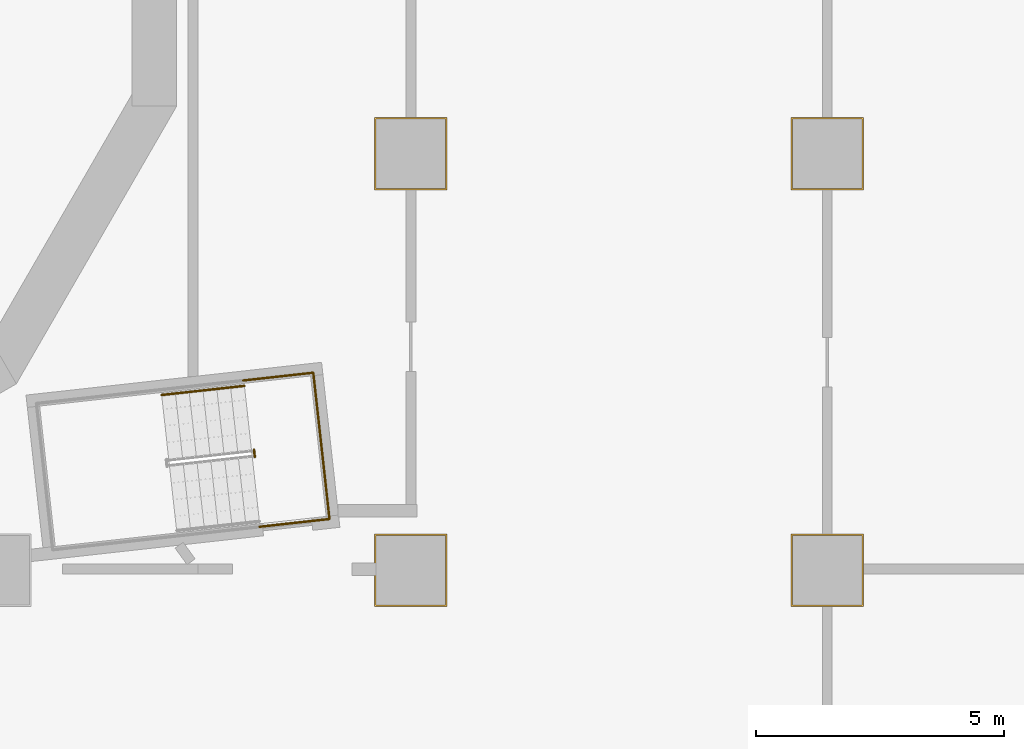
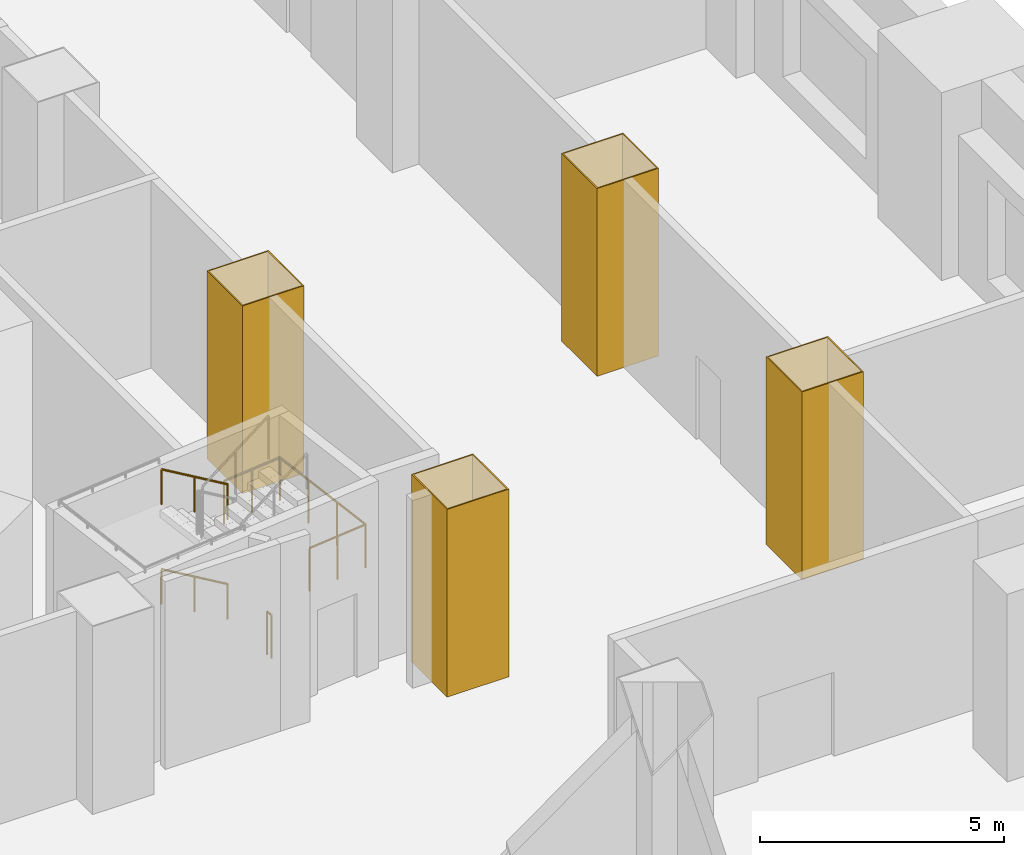
# One storey, part 11 of 18: 4 coverings, 4 railings.
"""IFC4 building model written with IfcOpenShell, lengths in metres."""

from ifc_helpers import new_model, si_unit, direction, frame, origin, origin_2d, place, context, subcontext, project, spatial, polyline, circle, outline, extrude, material, layer, layer_set, type_object, element, save


model = new_model("IFC4")

# Units and contexts
model_context = context("Model", 3, precision=1e-05, world=origin(), true_north=direction((0.0, 1.0)))
body_context = subcontext(model_context, "Body", "Model", "MODEL_VIEW")
ifc_project = project(units=[si_unit("LENGTHUNIT", "METRE"), si_unit("AREAUNIT", "SQUARE_METRE"), si_unit("VOLUMEUNIT", "CUBIC_METRE"), si_unit("PLANEANGLEUNIT", "RADIAN"), si_unit("MASSUNIT", "GRAM", prefix="KILO")], contexts=[model_context])

# Site, building, storey
site_placement = place(None, origin())
site = spatial("IfcSite", under=ifc_project, at=site_placement, CompositionType="ELEMENT")
building_placement = place(site_placement, origin())
building = spatial("IfcBuilding", under=site, at=building_placement, Name="Cantera Rosa Tower", CompositionType="ELEMENT")
storey_placement = place(building_placement, frame((0.0, 0.0, 17.0)))
storey = spatial("IfcBuildingStorey", under=building, at=storey_placement, Name="L02", CompositionType="ELEMENT", Elevation=17.0)

# Coverings
ifc_material_1 = material(Name="Plaster")
ifc_layer = layer(ifc_material_1, 0.030029296875)
ifc_layer_set = layer_set([ifc_layer], Name="Column casing 30")
covering_type = type_object("IfcCoveringType", Name="Column casing 30", PredefinedType="CLADDING", material=ifc_layer_set)
covering_1_placement = place(storey_placement, origin())
element("IfcCovering", 1, at=covering_1_placement, inside=storey, type_object=covering_type, Name="Column casing L02-026", PredefinedType="CLADDING", context=body_context, shape_type="SweptSolid", body=[
    extrude(outline(polyline([(16.070068359375, -13.330078125), (17.530029296875, -13.330078125), (17.530029296875, -11.8701171875), (16.070068359375, -11.8701171875), (16.070068359375, -13.330078125)]), holes=[polyline([(17.5, -11.89990234375), (16.10009765625, -11.89990234375), (16.10009765625, -13.300048828125), (17.5, -13.300048828125), (17.5, -11.89990234375)])]), origin(), (0.0, 0.0, 1.0), 4.699951171875),
])
covering_2_placement = place(storey_placement, origin())
element("IfcCovering", 2, at=covering_2_placement, inside=storey, type_object=covering_type, Name="Column casing L02-027", PredefinedType="CLADDING", context=body_context, shape_type="SweptSolid", body=[
    extrude(outline(polyline([(16.070068359375, -4.929931640625), (17.530029296875, -4.929931640625), (17.530029296875, -3.469970703125), (16.070068359375, -3.469970703125), (16.070068359375, -4.929931640625)]), holes=[polyline([(17.5, -3.5), (16.10009765625, -3.5), (16.10009765625, -4.89990234375), (17.5, -4.89990234375), (17.5, -3.5)])]), origin(), (0.0, 0.0, 1.0), 4.699951171875),
])
covering_3_placement = place(storey_placement, origin())
element("IfcCovering", 3, at=covering_3_placement, inside=storey, type_object=covering_type, Name="Column casing L02-032", PredefinedType="CLADDING", context=body_context, shape_type="SweptSolid", body=[
    extrude(outline(polyline([(24.469970703125, -13.330078125), (25.929931640625, -13.330078125), (25.929931640625, -11.8701171875), (24.469970703125, -11.8701171875), (24.469970703125, -13.330078125)]), holes=[polyline([(25.89990234375, -11.89990234375), (24.5, -11.89990234375), (24.5, -13.300048828125), (25.89990234375, -13.300048828125), (25.89990234375, -11.89990234375)])]), origin(), (0.0, 0.0, 1.0), 4.699951171875),
])
covering_4_placement = place(storey_placement, origin())
element("IfcCovering", 4, at=covering_4_placement, inside=storey, type_object=covering_type, Name="Column casing L02-033", PredefinedType="CLADDING", context=body_context, shape_type="SweptSolid", body=[
    extrude(outline(polyline([(24.469970703125, -4.929931640625), (25.929931640625, -4.929931640625), (25.929931640625, -3.469970703125), (24.469970703125, -3.469970703125), (24.469970703125, -4.929931640625)]), holes=[polyline([(25.89990234375, -3.5), (24.5, -3.5), (24.5, -4.89990234375), (25.89990234375, -4.89990234375), (25.89990234375, -3.5)])]), origin(), (0.0, 0.0, 1.0), 4.699951171875),
])

# Railings
ifc_material_2 = material(Name="Steel S355J2 (EN 10025-2)", Category="steel")
railing_type_1 = type_object("IfcRailingType", Name="STAIR GUARD 1100", PredefinedType="GUARDRAIL", material=ifc_material_2)
railing_1_placement = place(storey_placement, frame((13.6328125, -10.16552734375, 0.0)))
element("IfcRailing", 5, at=railing_1_placement, inside=storey, type_object=railing_type_1, Name="L02 ST-14 stair guard 5", PredefinedType="GUARDRAIL", context=body_context, shape_type="SweptSolid", body=[
    extrude(circle(Radius=0.02392578125, at=origin_2d()), frame((0.0, 0.0, 1.076171875), z_axis=(0.110610055588, -0.993863881828, 0.0), x_axis=(0.993863881828, 0.110610055588, 0.0)), (0.0, 0.0, 1.0), 0.150146484375),
    extrude(circle(Radius=0.02099609375, at=origin_2d()), origin(), (0.0, 0.0, 1.0), 1.052001953125),
    extrude(circle(Radius=0.02099609375, at=origin_2d()), frame((0.0166015625, -0.149169921875, 0.0)), (0.0, 0.0, 1.0), 1.052001953125),
])
railing_2_placement = place(storey_placement, frame((13.415771484375, -8.77099609375, 2.5)))
element("IfcRailing", 6, at=railing_2_placement, inside=storey, type_object=railing_type_1, Name="L02 ST-14 stair guard 8", PredefinedType="GUARDRAIL", context=body_context, shape_type="SweptSolid", body=[
    extrude(circle(Radius=0.02392578125, at=origin_2d()), frame((0.0, 0.0, 1.076171875), z_axis=(0.993887921413, 0.110393838913, 0.0), x_axis=(-0.110393838913, 0.993887921413, 0.0)), (0.0, 0.0, 1.0), 1.422119140625),
    extrude(circle(Radius=0.02392578125, at=origin_2d()), frame((1.413330078125, 0.156982421875, 1.076171875), z_axis=(0.110314237986, -0.993896759678, 0.0), x_axis=(0.993896759678, 0.110314237986, 0.0)), (0.0, 0.0, 1.0), 2.969970703125),
    extrude(circle(Radius=0.02392578125, at=origin_2d()), frame((1.740966796875, -2.794921875, 1.076171875), z_axis=(-0.993887921413, -0.110393838913, 0.0), x_axis=(0.110393838913, -0.993887921413, 0.0)), (0.0, 0.0, 1.0), 1.422119140625),
    extrude(circle(Radius=0.02099609375, at=origin_2d()), origin(), (0.0, 0.0, 1.0), 1.052001953125),
    extrude(circle(Radius=0.02099609375, at=origin_2d()), frame((0.70654296875, 0.07861328125, 0.0)), (0.0, 0.0, 1.0), 1.052001953125),
    extrude(circle(Radius=0.02099609375, at=origin_2d()), frame((1.413330078125, 0.156982421875, 0.0)), (0.0, 0.0, 1.0), 1.052001953125),
    extrude(circle(Radius=0.02099609375, at=origin_2d()), frame((1.5224609375, -0.826904296875, 0.0)), (0.0, 0.0, 1.0), 1.052001953125),
    extrude(circle(Radius=0.02099609375, at=origin_2d()), frame((1.6318359375, -1.81103515625, 0.0)), (0.0, 0.0, 1.0), 1.052001953125),
    extrude(circle(Radius=0.02099609375, at=origin_2d()), frame((1.740966796875, -2.794921875, 0.0)), (0.0, 0.0, 1.0), 1.052001953125),
    extrude(circle(Radius=0.02099609375, at=origin_2d()), frame((1.0341796875, -2.87353515625, 0.0)), (0.0, 0.0, 1.0), 1.052001953125),
    extrude(circle(Radius=0.02099609375, at=origin_2d()), frame((0.32763671875, -2.951904296875, 0.0)), (0.0, 0.0, 1.0), 1.052001953125),
])
ifc_material_3 = material(Name="Steel S355J2 (EN 10025-2)", Category="steel")
railing_type_2 = type_object("IfcRailingType", Name="STAIR HANDRAIL 900", PredefinedType="HANDRAIL", material=ifc_material_3)
for number, where, name in (
    (7, (13.439697265625, -8.87890625, 0.178466796875), "L02 ST-14 stair handrail 1"),
    (8, (13.439697265625, -8.87890625, 2.678466796875), "L02 ST-14 stair handrail 3"),
):
    element("IfcRailing", number, at=place(storey_placement, frame(where)), inside=storey, type_object=railing_type_2, Name=name, PredefinedType="HANDRAIL", context=body_context, shape_type="SweptSolid", body=[
        extrude(circle(Radius=0.02392578125, at=origin_2d()), frame((0.0, 0.0, 0.8759765625), z_axis=(-0.837950904326, -0.092996744609, 0.537763784046), x_axis=(0.110303920128, -0.993897904819, 0.0)), (0.0, 0.0, 1.0), 1.99267578125),
        extrude(circle(Radius=0.02099609375, at=origin_2d()), origin(), (0.0, 0.0, 1.0), 0.851806640625),
        extrude(circle(Radius=0.02099609375, at=origin_2d()), frame((-0.8349609375, -0.0927734375, 0.53564453125)), (0.0, 0.0, 1.0), 0.851806640625),
        extrude(circle(Radius=0.02099609375, at=origin_2d()), frame((-1.669677734375, -0.185302734375, 1.071533203125)), (0.0, 0.0, 1.0), 0.851806640625),
    ])

save(model, "model.ifc")
